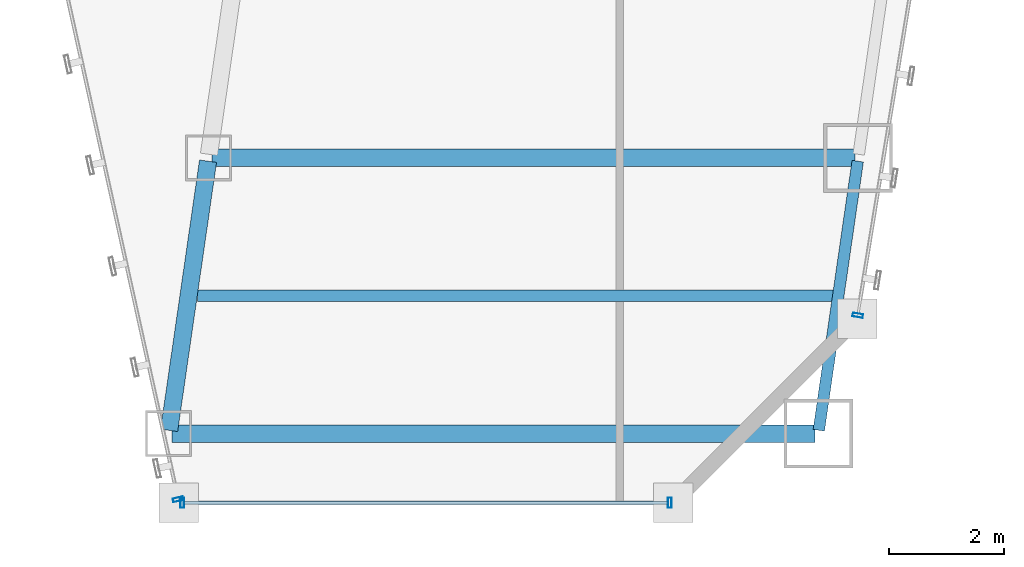
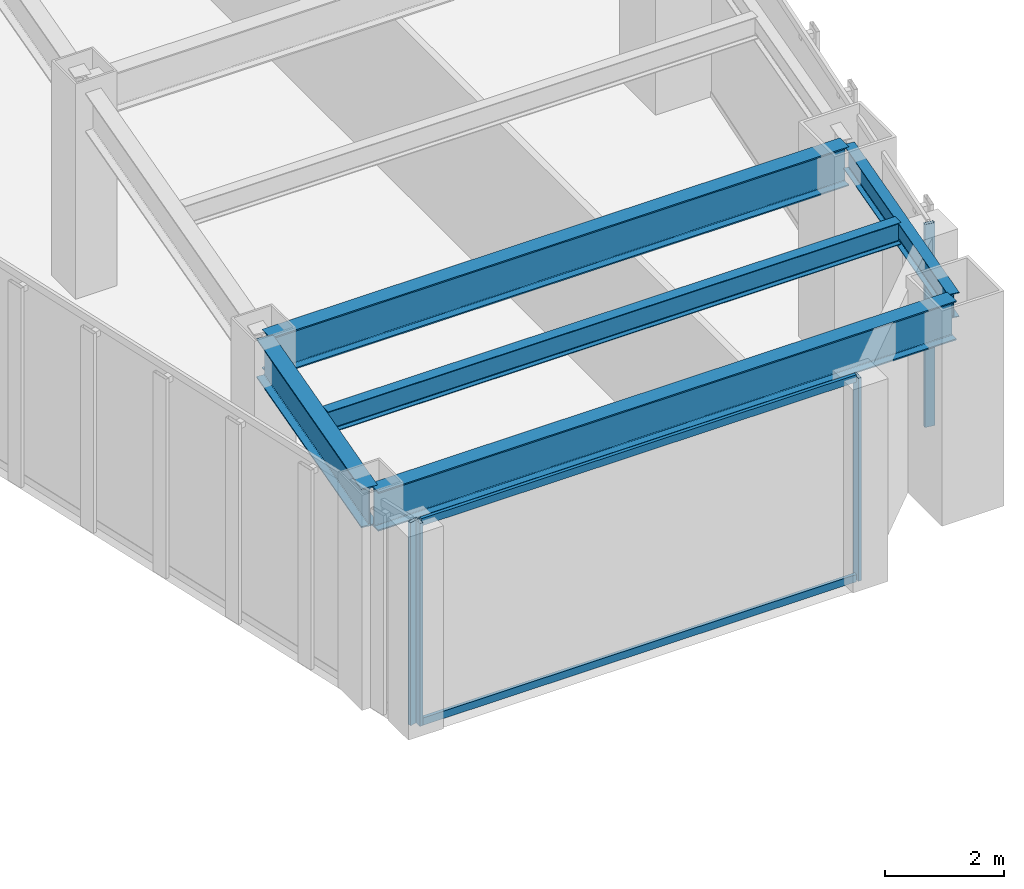
# One storey, part 15 of 47: 6 members, 5 beams, 3 elements without a shape of their own.
"""IFC4 building model written with IfcOpenShell, lengths in metres."""

import ifcopenshell
import ifcopenshell.guid

model = None  # the IFC model being written
_history = None  # IfcOwnerHistory: only IFC2X3 demands one
_inside = {}  # id of a spatial element -> (the spatial element, [elements in it])
_under = {}  # id of a project, library or spatial element -> (it, [spatial elements below it])
_declared = {}  # id of a project -> (the project, [libraries it declares])
_typed = {}  # id of a type object -> (the type object, [elements of that type])
_made_of = {}  # id of a material, layer set ... -> (it, [elements and type objects made of it])


def new_model(schema):
    """Start an empty IFC model of exactly this schema.

    Asked for "IFC4X3", IfcOpenShell would pick the latest addendum, in which some entities
    have other attributes; the version numbers below select the first issue.
    IFC2X3 requires an IfcOwnerHistory on every rooted entity: one is made here for all.
    """
    global model, _history
    if schema == "IFC4X3":
        model = ifcopenshell.file(schema_version=(4, 3, 0, 0))
    else:
        model = ifcopenshell.file(schema=schema)
    _inside.clear()
    _under.clear()
    _declared.clear()
    _typed.clear()
    _made_of.clear()
    _history = None
    if model.schema == "IFC2X3":
        org = make("IfcOrganization", Name="unknown")
        user = make(
            "IfcPersonAndOrganization",
            ThePerson=make("IfcPerson", FamilyName="unknown"),
            TheOrganization=org,
        )
        app = make(
            "IfcApplication",
            ApplicationDeveloper=org,
            Version="unknown",
            ApplicationFullName="unknown",
            ApplicationIdentifier="unknown",
        )
        _history = make(
            "IfcOwnerHistory",
            OwningUser=user,
            OwningApplication=app,
            ChangeAction="ADDED",
            CreationDate=0,
        )
    return model


def make(cls, **values):
    """One entity of the class cls with the attributes given. An attribute that is None is left unset."""
    return model.create_entity(
        cls, **{name: value for name, value in values.items() if value is not None}
    )


def rooted(cls, **values):
    """An entity with a GlobalId (a new one), such as an element, a storey or a relation."""
    return make(cls, GlobalId=ifcopenshell.guid.new(), OwnerHistory=_history, **values)


def si_unit(unit_type, name, prefix=None):
    """IfcSIUnit, for example si_unit("LENGTHUNIT", "METRE", prefix="MILLI")."""
    return make("IfcSIUnit", UnitType=unit_type, Prefix=prefix, Name=name)


def assignment(units):
    """IfcUnitAssignment: the units of a project."""
    return None if units is None else make("IfcUnitAssignment", Units=units)


def point(xyz):
    """IfcCartesianPoint."""
    return None if xyz is None else make("IfcCartesianPoint", Coordinates=xyz)


def direction(xyz):
    """IfcDirection."""
    return None if xyz is None else make("IfcDirection", DirectionRatios=xyz)


def frame(location, z_axis=None, x_axis=None):
    """IfcAxis2Placement3D, a coordinate frame: its origin and axes. An axis left out is left unset."""
    return make(
        "IfcAxis2Placement3D",
        Location=point(location),
        Axis=direction(z_axis),
        RefDirection=direction(x_axis),
    )


def frame_2d(location, x_axis=None):
    """IfcAxis2Placement2D, a coordinate frame in the plane: its origin and x axis."""
    return make(
        "IfcAxis2Placement2D", Location=point(location), RefDirection=direction(x_axis)
    )


def origin():
    """The frame at (0, 0, 0) with its axes left unset."""
    return frame((0.0, 0.0, 0.0))


def origin_2d():
    """The frame at (0, 0) in the plane with its x axis left unset."""
    return frame_2d((0.0, 0.0))


def place(relative_to, where):
    """IfcLocalPlacement: puts the frame where relative to a parent placement (None: the world)."""
    return make(
        "IfcLocalPlacement", PlacementRelTo=relative_to, RelativePlacement=where
    )


def context(
    kind, dimensions, precision=None, world=None, true_north=None, identifier=None
):
    """IfcGeometricRepresentationContext, for example the 3D "Model" context."""
    return make(
        "IfcGeometricRepresentationContext",
        ContextIdentifier=identifier,
        ContextType=kind,
        CoordinateSpaceDimension=dimensions,
        Precision=precision,
        WorldCoordinateSystem=world,
        TrueNorth=true_north,
    )


def subcontext(parent, identifier, kind, view, scale=None):
    """IfcGeometricRepresentationSubContext, for example "Body" below "Model"."""
    return make(
        "IfcGeometricRepresentationSubContext",
        ContextIdentifier=identifier,
        ContextType=kind,
        ParentContext=parent,
        TargetScale=scale,
        TargetView=view,
    )


def project(units=None, contexts=None):
    """IfcProject with its units and contexts."""
    return rooted(
        "IfcProject",
        Name="project",
        RepresentationContexts=contexts,
        UnitsInContext=assignment(units),
    )


def spatial(cls, under=None, at=None, **own):
    """A site, building, storey or space (cls), placed at a placement, below another one or the project."""
    s = rooted(cls, ObjectPlacement=at, **own)
    if under is not None:
        _under.setdefault(under.id(), (under, []))[1].append(s)
    return s


def profile(cls, at=None, kind="AREA", **sizes):
    """A parametric profile (cls). Its sizes go by their IFC names, for example OverallWidth=200.0."""
    return make(cls, ProfileType=kind, Position=at, **sizes)


def hollow_rectangle(**sizes):
    """IfcRectangleHollowProfileDef."""
    return profile("IfcRectangleHollowProfileDef", **sizes)


def i_section(**sizes):
    """IfcIShapeProfileDef."""
    return profile("IfcIShapeProfileDef", **sizes)


def extrude(swept, where, along, depth):
    """IfcExtrudedAreaSolid: the profile swept, set in the frame where, extruded along a direction by depth."""
    return make(
        "IfcExtrudedAreaSolid",
        SweptArea=swept,
        Position=where,
        ExtrudedDirection=direction(along),
        Depth=depth,
    )


def shape(context_of_items, identifier, shape_type, items):
    """IfcShapeRepresentation: the items that make up one representation, for example the "Body"."""
    return make(
        "IfcShapeRepresentation",
        ContextOfItems=context_of_items,
        RepresentationIdentifier=identifier,
        RepresentationType=shape_type,
        Items=items,
    )


def material(Name=None, Category=None):
    """IfcMaterial."""
    return make("IfcMaterial", Name=Name, Category=Category)


def material_profile(
    of_material, cross_section, Name=None, Category=None, Priority=None
):
    """IfcMaterialProfile: a cross section and its material."""
    return make(
        "IfcMaterialProfile",
        Name=Name,
        Material=of_material,
        Profile=cross_section,
        Priority=Priority,
        Category=Category,
    )


def profile_set(profiles, Name=None, composite=None):
    """IfcMaterialProfileSet."""
    return make(
        "IfcMaterialProfileSet",
        Name=Name,
        MaterialProfiles=profiles,
        CompositeProfile=composite,
    )


def made_of(thing, what):
    """Note that an element or type object is made of a material, layer set ...; save() writes the relation."""
    if what is not None:
        _made_of.setdefault(what.id(), (what, []))[1].append(thing)
    return thing


def type_object(cls, material=None, **own):
    """A type object (cls), such as IfcWallType, which elements share."""
    return made_of(rooted(cls, **own), material)


def element(
    cls,
    number,
    at=None,
    inside=None,
    cuts=None,
    type_object=None,
    material=None,
    context=None,
    identifier="Body",
    shape_type=None,
    held_by="IfcProductDefinitionShape",
    body=None,
    shapes=None,
    **own,
):
    """One element of the class cls, such as IfcWall. Its Tag is "e" and its number.

    at: its placement. inside: the storey or other place that contains it. cuts: it is an
    opening in that element (IfcRelVoidsElement). A single representation is given by context,
    identifier, shape_type and body (its items); several are given by shapes. held_by: the class
    of the entity that holds the representations. save() writes the other relations.
    """
    e = rooted(cls, Tag="e%d" % number, ObjectPlacement=at, **own)
    if body is not None:
        shapes = [shape(context, identifier, shape_type, body)]
    if shapes is not None:
        e.Representation = make(held_by, Representations=shapes)
    if inside is not None:
        _inside.setdefault(inside.id(), (inside, []))[1].append(e)
    if cuts is not None:
        rooted(
            "IfcRelVoidsElement", RelatingBuildingElement=cuts, RelatedOpeningElement=e
        )
    if type_object is not None:
        _typed.setdefault(type_object.id(), (type_object, []))[1].append(e)
    return made_of(e, material)


def aggregate(whole, parts):
    """IfcRelAggregates: a whole, such as a stair, and the parts it consists of."""
    return rooted("IfcRelAggregates", RelatingObject=whole, RelatedObjects=parts)


def save(model, path):
    """Write the relations noted so far, then the file.

    IfcRelAggregates (storeys below a building ...), IfcRelContainedInSpatialStructure (elements
    in a storey), IfcRelDefinesByType, IfcRelAssociatesMaterial and IfcRelDeclares: one each for
    every whole, place, type object, material and project.
    """
    for whole, parts in _under.values():
        aggregate(whole, parts)
    for where, things in _inside.values():
        rooted(
            "IfcRelContainedInSpatialStructure",
            RelatedElements=things,
            RelatingStructure=where,
        )
    for kind, things in _typed.values():
        rooted("IfcRelDefinesByType", RelatedObjects=things, RelatingType=kind)
    for what, things in _made_of.values():
        rooted("IfcRelAssociatesMaterial", RelatedObjects=things, RelatingMaterial=what)
    for by, libraries in _declared.values():
        rooted("IfcRelDeclares", RelatingContext=by, RelatedDefinitions=libraries)
    model.write(path)


model = new_model("IFC4")

# Units and contexts
model_context = context("Model", 3, precision=1e-05, world=origin(), true_north=direction((0.0, 1.0)))
body_context = subcontext(model_context, "Body", "Model", "MODEL_VIEW")
ifc_project = project(units=[si_unit("LENGTHUNIT", "METRE"), si_unit("AREAUNIT", "SQUARE_METRE"), si_unit("VOLUMEUNIT", "CUBIC_METRE"), si_unit("PLANEANGLEUNIT", "RADIAN"), si_unit("MASSUNIT", "GRAM", prefix="KILO")], contexts=[model_context])

# Site, building, storey
site_placement = place(None, origin())
site = spatial("IfcSite", under=ifc_project, at=site_placement, CompositionType="ELEMENT")
building_placement = place(site_placement, origin())
building = spatial("IfcBuilding", under=site, at=building_placement, Name="Saevonmaru Cultural Tower", CompositionType="ELEMENT")
storey_placement = place(building_placement, frame((0.0, 0.0, 42.800048828125)))
storey = spatial("IfcBuildingStorey", under=building, at=storey_placement, Name="L08", CompositionType="ELEMENT", Elevation=42.800048828125)

# Beams
ifc_material_1 = material(Name="Steel SM420", Category="steel")
ifc_material_profile_1 = material_profile(ifc_material_1, i_section(OverallWidth=0.300048828125, OverallDepth=0.800048828125, WebThickness=0.013916015625, FlangeThickness=0.02587890625, FilletRadius=0.028076171875, at=origin_2d()), Name="H-800x300x14x26")
ifc_profile_set_1 = profile_set([ifc_material_profile_1], Name="Steel SM420")
beam_type_1 = type_object("IfcBeamType", Name="BM-G-H800", PredefinedType="BEAM", material=ifc_profile_set_1)
beam_1_placement = place(storey_placement, frame((36.231689453125, 3.259521484375, 3.75), z_axis=(0.143083234893, 0.989710658674, 0.0), x_axis=(-0.989710658674, 0.143083234893, 0.0)))
element("IfcBeam", 1, at=beam_1_placement, inside=storey, type_object=beam_type_1, Name="L08 East Atrium Girder 1", PredefinedType="BEAM", context=body_context, shape_type="SweptSolid", body=[
    extrude(i_section(OverallWidth=0.300048828125, OverallDepth=0.800048828125, WebThickness=0.013916015625, FlangeThickness=0.02587890625, FilletRadius=0.028076171875, at=origin_2d()), origin(), (0.0, 0.0, 1.0), 4.729736328125),
])
for number, where, z_axis, x_axis, name in (
    (2, (36.282958984375, 3.199951171875, 3.75), (1.0, 0.0, 0.0), (0.0, 1.0, 0.0), "L08 East Wing Transverse Girder 1"),
    (3, (36.97705078125, 8.0, 3.75), (1.0, 0.0, 0.0), (0.0, 1.0, 0.0), "L08 East Wing Transverse Girder 2"),
):
    element("IfcBeam", number, at=place(storey_placement, frame(where, z_axis=z_axis, x_axis=x_axis)), inside=storey, type_object=beam_type_1, Name=name, PredefinedType="BEAM", context=body_context, shape_type="SweptSolid", body=[
        extrude(i_section(OverallWidth=0.300048828125, OverallDepth=0.800048828125, WebThickness=0.013916015625, FlangeThickness=0.02587890625, FilletRadius=0.028076171875, at=origin_2d()), origin(), (0.0, 0.0, 1.0), 11.179931640625),
    ])
ifc_material_2 = material(Name="Steel SM355", Category="steel")
ifc_material_profile_2 = material_profile(ifc_material_2, i_section(OverallWidth=0.199951171875, OverallDepth=0.449951171875, WebThickness=0.009033203125, FlangeThickness=0.013916015625, FilletRadius=0.01806640625, at=origin_2d()), Name="H-450x200x9x14")
ifc_profile_set_2 = profile_set([ifc_material_profile_2], Name="Steel SM355")
beam_type_2 = type_object("IfcBeamType", Name="BM-J-H450", PredefinedType="JOIST", material=ifc_profile_set_2)
beam_2_placement = place(storey_placement, frame((36.72802734375, 5.60009765625, 3.925048828125), z_axis=(1.0, 0.0, 0.0), x_axis=(0.0, 1.0, 0.0)))
element("IfcBeam", 4, at=beam_2_placement, inside=storey, type_object=beam_type_2, Name="L08 East Wing Floor Joist 1", PredefinedType="JOIST", context=body_context, shape_type="SweptSolid", body=[
    extrude(i_section(OverallWidth=0.199951171875, OverallDepth=0.449951171875, WebThickness=0.009033203125, FlangeThickness=0.013916015625, FilletRadius=0.01806640625, at=origin_2d()), origin(), (0.0, 0.0, 1.0), 11.08203125),
])
ifc_material_profile_3 = material_profile(ifc_material_2, i_section(OverallWidth=0.199951171875, OverallDepth=0.5, WebThickness=0.010009765625, FlangeThickness=0.01611328125, FilletRadius=0.02001953125, at=origin_2d()), Name="H-500x200x10x16")
ifc_profile_set_3 = profile_set([ifc_material_profile_3], Name="Steel SM355")
beam_type_3 = type_object("IfcBeamType", Name="BM-SP-H500", PredefinedType="SPANDREL", material=ifc_profile_set_3)
beam_3_placement = place(storey_placement, frame((47.531494140625, 3.259521484375, 3.89990234375), z_axis=(0.14313379491, 0.989703347855, 0.0), x_axis=(-0.989703347855, 0.14313379491, 0.0)))
element("IfcBeam", 5, at=beam_3_placement, inside=storey, type_object=beam_type_3, Name="L08 East Splayed Spandrel 1", PredefinedType="SPANDREL", context=body_context, shape_type="SweptSolid", body=[
    extrude(i_section(OverallWidth=0.199951171875, OverallDepth=0.5, WebThickness=0.010009765625, FlangeThickness=0.01611328125, FilletRadius=0.02001953125, at=origin_2d()), origin(), (0.0, 0.0, 1.0), 4.729736328125),
])

# Curtain wall, member
ifc_material_3 = material(Name="Satin Bronze Anodised Aluminium", Category="aluminium")
curtain_wall_type = type_object("IfcCurtainWallType", Name="CW-TYP-A", PredefinedType="NOTDEFINED", material=ifc_material_3)
curtain_wall_1_placement = place(storey_placement, origin())
curtain_wall_1 = element("IfcCurtainWall", 6, at=curtain_wall_1_placement, inside=storey, type_object=curtain_wall_type, Name="L08 Unitised Curtain Wall E5", PredefinedType="NOTDEFINED")
ifc_material_profile_4 = material_profile(ifc_material_3, hollow_rectangle(XDim=0.06494140625, YDim=0.179931640625, WallThickness=0.00390625, at=origin_2d()), Name="ALU-MULL-180x65x4")
ifc_profile_set_4 = profile_set([ifc_material_profile_4], Name="Satin Bronze Anodised Aluminium")
member_type_1 = type_object("IfcMemberType", Name="ML-CW-180x65", PredefinedType="MULLION", material=ifc_profile_set_4)
member_1_placement = place(storey_placement, frame((36.38720703125, 2.05859375, 0.0), z_axis=(0.0, 0.0, 1.0), x_axis=(0.215413319953, -0.976522965212, 0.0)))
member_1 = element("IfcMember", 7, at=member_1_placement, type_object=member_type_1, Name="CW-TW-L08-E5 mullion 2", PredefinedType="MULLION", context=body_context, shape_type="SweptSolid", body=[
    extrude(hollow_rectangle(XDim=0.06494140625, YDim=0.179931640625, WallThickness=0.00390625, at=origin_2d()), origin(), (0.0, 0.0, 1.0), 4.14990234375),
])
aggregate(curtain_wall_1, [member_1])

# Curtain wall, members
curtain_wall_2_placement = place(storey_placement, origin())
curtain_wall_2 = element("IfcCurtainWall", 8, at=curtain_wall_2_placement, inside=storey, type_object=curtain_wall_type, Name="L08 Unitised Curtain Wall E6", PredefinedType="NOTDEFINED")
member_2_placement = place(storey_placement, frame((36.4599609375, 2.0, 0.0), z_axis=(0.0, 0.0, 1.0), x_axis=(1.0, 0.0, 0.0)))
member_2 = element("IfcMember", 9, at=member_2_placement, type_object=member_type_1, Name="CW-TW-L08-E6 mullion 1", PredefinedType="MULLION", context=body_context, shape_type="SweptSolid", body=[
    extrude(hollow_rectangle(XDim=0.06494140625, YDim=0.179931640625, WallThickness=0.00390625, at=origin_2d()), origin(), (0.0, 0.0, 1.0), 4.14990234375),
])
member_3_placement = place(storey_placement, frame((44.93994140625, 2.0, 0.0), z_axis=(0.0, 0.0, 1.0), x_axis=(1.0, 0.0, 0.0)))
member_3 = element("IfcMember", 10, at=member_3_placement, type_object=member_type_1, Name="CW-TW-L08-E6 mullion 2", PredefinedType="MULLION", context=body_context, shape_type="SweptSolid", body=[
    extrude(hollow_rectangle(XDim=0.06494140625, YDim=0.179931640625, WallThickness=0.00390625, at=origin_2d()), origin(), (0.0, 0.0, 1.0), 4.14990234375),
])

# Curtain wall, member
curtain_wall_3_placement = place(storey_placement, origin())
curtain_wall_3 = element("IfcCurtainWall", 11, at=curtain_wall_3_placement, inside=storey, type_object=curtain_wall_type, Name="L08 Unitised Curtain Wall E8", PredefinedType="NOTDEFINED")
member_4_placement = place(storey_placement, frame((48.209716796875, 5.25927734375, 0.0), z_axis=(0.0, 0.0, 1.0), x_axis=(0.161708868641, 0.986838508472, 0.0)))
member_4 = element("IfcMember", 12, at=member_4_placement, type_object=member_type_1, Name="CW-TW-L08-E8 mullion 1", PredefinedType="MULLION", context=body_context, shape_type="SweptSolid", body=[
    extrude(hollow_rectangle(XDim=0.06494140625, YDim=0.179931640625, WallThickness=0.00390625, at=origin_2d()), origin(), (0.0, 0.0, 1.0), 4.14990234375),
])
aggregate(curtain_wall_3, [member_4])

# Member
ifc_material_profile_5 = material_profile(ifc_material_3, hollow_rectangle(XDim=0.06494140625, YDim=0.14990234375, WallThickness=0.00390625, at=origin_2d()), Name="ALU-TRAN-150x65x4")
ifc_profile_set_5 = profile_set([ifc_material_profile_5], Name="Satin Bronze Anodised Aluminium")
member_type_2 = type_object("IfcMemberType", Name="TR-CW-150x65", PredefinedType="USERDEFINED", material=ifc_profile_set_5)
member_5_placement = place(storey_placement, frame((36.492431640625, 2.0, 0.032470703125), z_axis=(1.0, 0.0, 0.0), x_axis=(0.0, 1.0, 0.0)))
member_5 = element("IfcMember", 13, at=member_5_placement, type_object=member_type_2, Name="CW-TW-L08-E6 transom 1.1", ObjectType="TRANSOM", PredefinedType="USERDEFINED", context=body_context, shape_type="SweptSolid", body=[
    extrude(hollow_rectangle(XDim=0.06494140625, YDim=0.14990234375, WallThickness=0.00390625, at=origin_2d()), origin(), (0.0, 0.0, 1.0), 8.4150390625),
])

member_6_placement = place(storey_placement, frame((36.492431640625, 2.0, 4.117431640625), z_axis=(1.0, 0.0, 0.0), x_axis=(0.0, 1.0, 0.0)))
member_6 = element("IfcMember", 14, at=member_6_placement, type_object=member_type_2, Name="CW-TW-L08-E6 transom 1.2", ObjectType="TRANSOM", PredefinedType="USERDEFINED", context=body_context, shape_type="SweptSolid", body=[
    extrude(hollow_rectangle(XDim=0.06494140625, YDim=0.14990234375, WallThickness=0.00390625, at=origin_2d()), origin(), (0.0, 0.0, 1.0), 8.4150390625),
])

aggregate(curtain_wall_2, [member_2, member_3, member_5, member_6])

save(model, "model.ifc")
